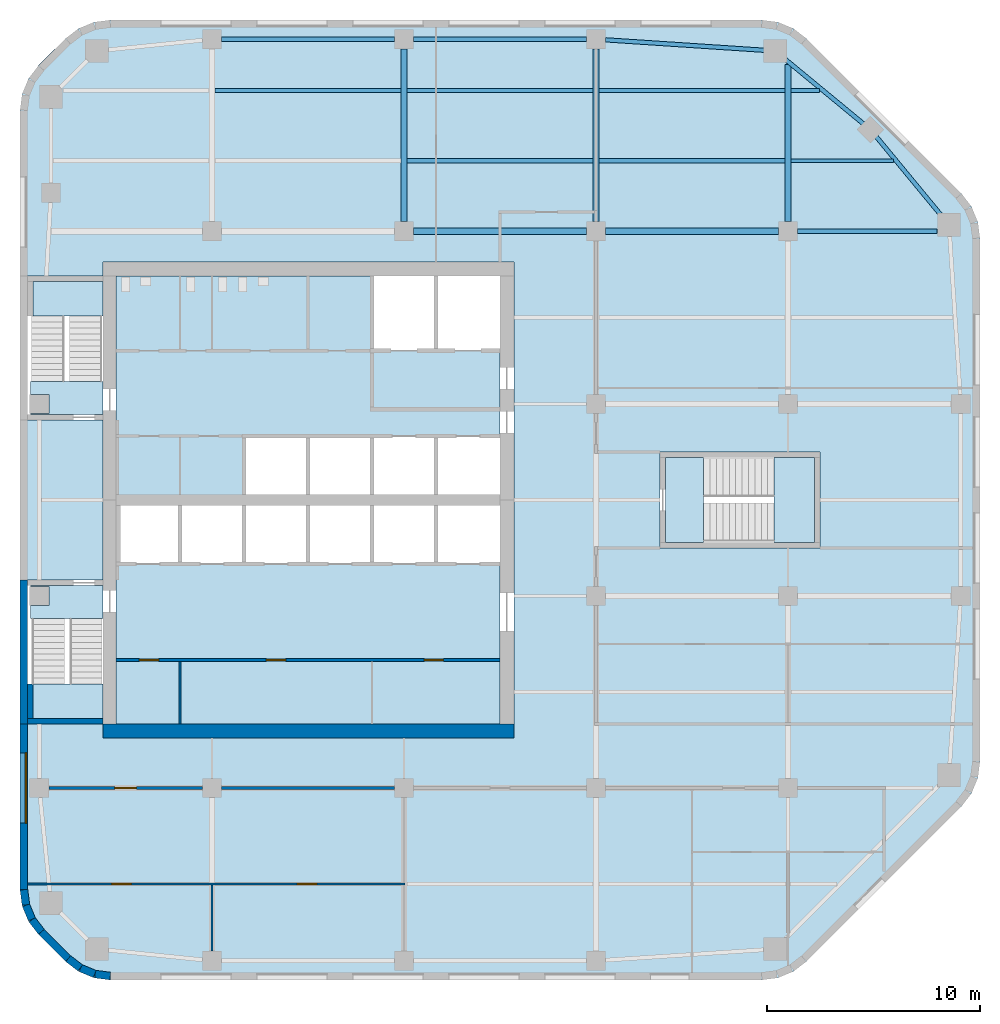
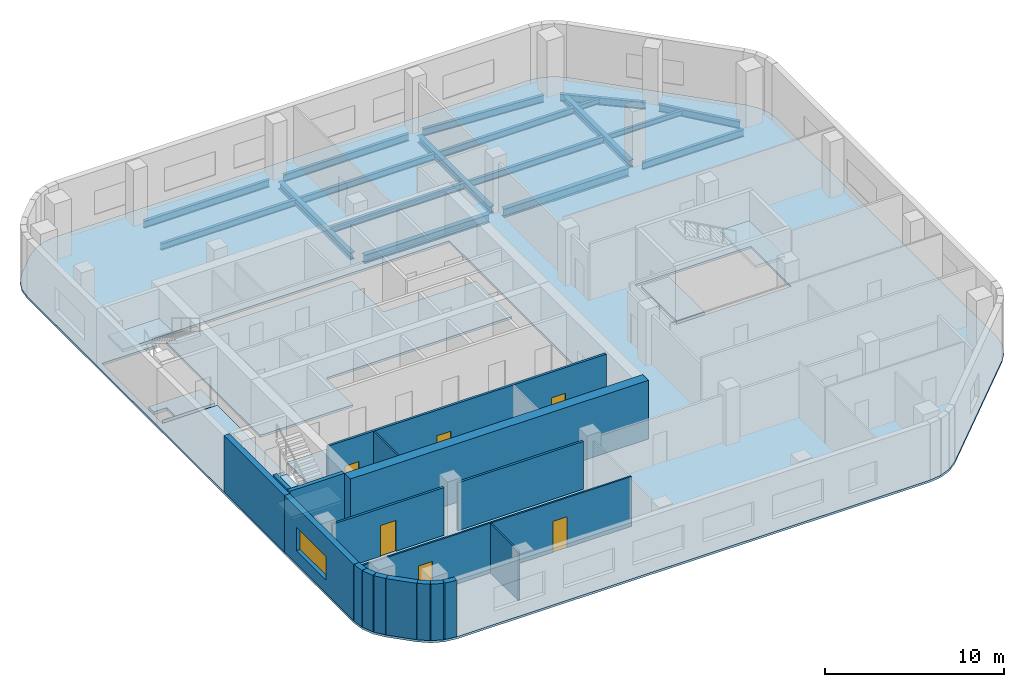
# One storey, part 2 of 7: 18 beams, 18 walls, 9 slabs, 6 doors, 1 window, 7 openings, 3 elements without a shape of their own.
"""IFC4 building model written with IfcOpenShell, lengths in metres."""

from ifc_helpers import new_model, si_unit, direction, frame, frame_2d, origin, origin_2d, place, context, subcontext, project, spatial, polyline, rectangle, i_section, outline, extrude, material, layer, layer_set, material_profile, profile_set, type_object, element, fill, aggregate, save


model = new_model("IFC4")

# Units and contexts
model_context = context("Model", 3, precision=1e-05, world=origin(), true_north=direction((0.0, 1.0)))
body_context = subcontext(model_context, "Body", "Model", "MODEL_VIEW")
ifc_project = project(units=[si_unit("LENGTHUNIT", "METRE"), si_unit("AREAUNIT", "SQUARE_METRE"), si_unit("VOLUMEUNIT", "CUBIC_METRE"), si_unit("PLANEANGLEUNIT", "RADIAN"), si_unit("MASSUNIT", "GRAM", prefix="KILO")], contexts=[model_context])

# Site, building, storey
site_placement = place(None, origin())
site = spatial("IfcSite", under=ifc_project, at=site_placement, CompositionType="ELEMENT")
building_placement = place(site_placement, origin())
building = spatial("IfcBuilding", under=site, at=building_placement, Name="Cinnabar Reach Civic Tower", CompositionType="ELEMENT")
storey_placement = place(building_placement, frame((0.0, 0.0, 173.0)))
storey = spatial("IfcBuildingStorey", under=building, at=storey_placement, Name="L41", CompositionType="ELEMENT", Elevation=173.0)

# Beams
ifc_material_1 = material(Name="Steel Q355B", Category="steel")
ifc_material_profile_1 = material_profile(ifc_material_1, i_section(OverallWidth=0.3, OverallDepth=0.488, WebThickness=0.011, FlangeThickness=0.018, FilletRadius=0.016, at=origin_2d()), Name="HM488x300x11x18")
ifc_profile_set_1 = profile_set([ifc_material_profile_1], Name="Steel Q355B")
beam_type_1 = type_object("IfcBeamType", Name="HM488x300x11x18 beam R 180", PredefinedType="BEAM", material=ifc_profile_set_1)
for number, where, z_axis, x_axis, name in (
    (1, (18.0, 44.552, -0.394), (0.0, 1.0, 0.0), (-1.0, 0.0, 0.0), "Girder T1 L41 6"),
    (2, (27.0, 44.552, -0.394), (0.0, 1.0, 0.0), (-1.0, 0.0, 0.0), "Girder T1 L41 11"),
):
    element("IfcBeam", number, at=place(storey_placement, frame(where, z_axis=z_axis, x_axis=x_axis)), inside=storey, type_object=beam_type_1, Name=name, PredefinedType="BEAM", context=body_context, shape_type="SweptSolid", body=[
        extrude(i_section(OverallWidth=0.3, OverallDepth=0.488, WebThickness=0.011, FlangeThickness=0.018, FilletRadius=0.016, at=origin_2d()), origin(), (0.0, 0.0, 1.0), 8.096),
    ])
beam_1_placement = place(storey_placement, frame((36.0, 44.552, -0.394), z_axis=(0.0, 1.0, 0.0), x_axis=(-1.0, 0.0, 0.0)))
element("IfcBeam", 3, at=beam_1_placement, inside=storey, type_object=beam_type_1, Name="Girder T1 L41 17", PredefinedType="BEAM", context=body_context, shape_type="SweptSolid", body=[
    extrude(i_section(OverallWidth=0.3, OverallDepth=0.488, WebThickness=0.011, FlangeThickness=0.018, FilletRadius=0.016, at=origin_2d()), origin(), (0.0, 0.0, 1.0), 7.3662),
])
ifc_material_profile_2 = material_profile(ifc_material_1, i_section(OverallWidth=0.3, OverallDepth=0.588, WebThickness=0.012, FlangeThickness=0.02, FilletRadius=0.016, at=origin_2d()), Name="HM588x300x12x20")
ifc_profile_set_2 = profile_set([ifc_material_profile_2], Name="Steel Q355B")
beam_type_2 = type_object("IfcBeamType", Name="HM588x300x12x20 beam R 180", PredefinedType="BEAM", material=ifc_profile_set_2)
for number, where, z_axis, x_axis, name in (
    (4, (18.452, 44.1, -0.444), (1.0, 0.0, 0.0), (0.0, 1.0, 0.0), "Girder T1 L41 14"),
    (5, (27.452, 44.1, -0.444), (1.0, 0.0, 0.0), (0.0, 1.0, 0.0), "Girder T1 L41 15"),
):
    element("IfcBeam", number, at=place(storey_placement, frame(where, z_axis=z_axis, x_axis=x_axis)), inside=storey, type_object=beam_type_2, Name=name, PredefinedType="BEAM", context=body_context, shape_type="SweptSolid", body=[
        extrude(i_section(OverallWidth=0.3, OverallDepth=0.588, WebThickness=0.012, FlangeThickness=0.02, FilletRadius=0.016, at=origin_2d()), origin(), (0.0, 0.0, 1.0), 8.096),
    ])
ifc_material_profile_3 = material_profile(ifc_material_1, i_section(OverallWidth=0.175, OverallDepth=0.35, WebThickness=0.007, FlangeThickness=0.011, FilletRadius=0.013, at=origin_2d()), Name="HN350x175x7x11")
ifc_profile_set_3 = profile_set([ifc_material_profile_3], Name="Steel Q355B")
beam_type_3 = type_object("IfcBeamType", Name="HN350x175x7x11 beam R 180", PredefinedType="BEAM", material=ifc_profile_set_3)
beam_2_placement = place(storey_placement, frame((36.152, 47.4, -0.325), z_axis=(1.0, 0.0, 0.0), x_axis=(0.0, 1.0, 0.0)))
element("IfcBeam", 6, at=beam_2_placement, inside=storey, type_object=beam_type_3, Name="Secondary beam T1 L41 20", PredefinedType="BEAM", context=body_context, shape_type="SweptSolid", body=[
    extrude(i_section(OverallWidth=0.175, OverallDepth=0.35, WebThickness=0.007, FlangeThickness=0.011, FilletRadius=0.013, at=origin_2d()), origin(), (0.0, 0.0, 1.0), 4.7866),
])
beam_3_placement = place(storey_placement, frame((36.152, 50.7, -0.325), z_axis=(1.0, 0.0, 0.0), x_axis=(0.0, 1.0, 0.0)))
element("IfcBeam", 7, at=beam_3_placement, inside=storey, type_object=beam_type_3, Name="Secondary beam T1 L41 25", PredefinedType="BEAM", context=body_context, shape_type="SweptSolid", body=[
    extrude(i_section(OverallWidth=0.175, OverallDepth=0.35, WebThickness=0.007, FlangeThickness=0.011, FilletRadius=0.013, at=origin_2d()), origin(), (0.0, 0.0, 1.0), 1.3249),
])
ifc_material_profile_4 = material_profile(ifc_material_1, i_section(OverallWidth=0.2, OverallDepth=0.45, WebThickness=0.009, FlangeThickness=0.014, FilletRadius=0.016, at=origin_2d()), Name="HN450x200x9x14")
ifc_profile_set_4 = profile_set([ifc_material_profile_4], Name="Steel Q355B")
beam_type_4 = type_object("IfcBeamType", Name="HN450x200x9x14 beam R 180", PredefinedType="BEAM", material=ifc_profile_set_4)
for number, where, z_axis, x_axis, name in (
    (8, (18.152, 47.4, -0.375), (1.0, 0.0, 0.0), (0.0, 1.0, 0.0), "Secondary beam T1 L41 18"),
    (9, (27.152, 47.4, -0.375), (1.0, 0.0, 0.0), (0.0, 1.0, 0.0), "Secondary beam T1 L41 19"),
    (10, (9.152, 50.7, -0.375), (1.0, 0.0, 0.0), (0.0, 1.0, 0.0), "Secondary beam T1 L41 22"),
    (11, (18.152, 50.7, -0.375), (1.0, 0.0, 0.0), (0.0, 1.0, 0.0), "Secondary beam T1 L41 23"),
    (12, (27.152, 50.7, -0.375), (1.0, 0.0, 0.0), (0.0, 1.0, 0.0), "Secondary beam T1 L41 24"),
):
    element("IfcBeam", number, at=place(storey_placement, frame(where, z_axis=z_axis, x_axis=x_axis)), inside=storey, type_object=beam_type_4, Name=name, PredefinedType="BEAM", context=body_context, shape_type="SweptSolid", body=[
        extrude(i_section(OverallWidth=0.2, OverallDepth=0.45, WebThickness=0.009, FlangeThickness=0.014, FilletRadius=0.016, at=origin_2d()), origin(), (0.0, 0.0, 1.0), 8.696),
    ])
ifc_material_profile_5 = material_profile(ifc_material_1, i_section(OverallWidth=0.2, OverallDepth=0.5, WebThickness=0.01, FlangeThickness=0.016, FilletRadius=0.016, at=origin_2d()), Name="HN500x200x10x16")
ifc_profile_set_5 = profile_set([ifc_material_profile_5], Name="Steel Q355B")
beam_type_5 = type_object("IfcBeamType", Name="HN500x200x10x16 beam R 180", PredefinedType="BEAM", material=ifc_profile_set_5)
for number, where, z_axis, x_axis, name in (
    (13, (43.1906, 44.8301, -0.4), (-0.63630880182, 0.771434448755, 0.0), (-0.771434448755, -0.63630880182, 0.0), "Edge beam T1 L41 9"),
    (14, (39.5598, 49.1142, -0.4), (-0.771434448755, 0.63630880182, 0.0), (-0.63630880182, -0.771434448755, 0.0), "Edge beam T1 L41 10"),
):
    element("IfcBeam", number, at=place(storey_placement, frame(where, z_axis=z_axis, x_axis=x_axis)), inside=storey, type_object=beam_type_5, Name=name, PredefinedType="BEAM", context=body_context, shape_type="SweptSolid", body=[
        extrude(i_section(OverallWidth=0.2, OverallDepth=0.5, WebThickness=0.01, FlangeThickness=0.016, FilletRadius=0.016, at=origin_2d()), origin(), (0.0, 0.0, 1.0), 4.8348),
    ])
beam_4_placement = place(storey_placement, frame((34.9661, 52.5754, -0.4), z_axis=(-0.99783894477, 0.065707231721, 0.0), x_axis=(-0.065707231721, -0.99783894477, 0.0)))
element("IfcBeam", 15, at=beam_4_placement, inside=storey, type_object=beam_type_5, Name="Edge beam T1 L41 11", PredefinedType="BEAM", context=body_context, shape_type="SweptSolid", body=[
    extrude(i_section(OverallWidth=0.2, OverallDepth=0.5, WebThickness=0.01, FlangeThickness=0.016, FilletRadius=0.016, at=origin_2d()), origin(), (0.0, 0.0, 1.0), 7.5304),
])
for number, where, z_axis, x_axis, name in (
    (16, (26.548, 53.1, -0.4), (-1.0, 0.0, 0.0), (0.0, -1.0, 0.0), "Edge beam T1 L41 12"),
    (17, (17.548, 53.1, -0.4), (-1.0, 0.0, 0.0), (0.0, -1.0, 0.0), "Edge beam T1 L41 13"),
):
    element("IfcBeam", number, at=place(storey_placement, frame(where, z_axis=z_axis, x_axis=x_axis)), inside=storey, type_object=beam_type_5, Name=name, PredefinedType="BEAM", context=body_context, shape_type="SweptSolid", body=[
        extrude(i_section(OverallWidth=0.2, OverallDepth=0.5, WebThickness=0.01, FlangeThickness=0.016, FilletRadius=0.016, at=origin_2d()), origin(), (0.0, 0.0, 1.0), 8.096),
    ])
beam_5_placement = place(storey_placement, frame((36.452, 44.1, -0.4), z_axis=(1.0, 0.0, 0.0), x_axis=(0.0, 1.0, 0.0)))
element("IfcBeam", 18, at=beam_5_placement, inside=storey, type_object=beam_type_5, Name="Girder T1 L41 16", PredefinedType="BEAM", context=body_context, shape_type="SweptSolid", body=[
    extrude(i_section(OverallWidth=0.2, OverallDepth=0.5, WebThickness=0.01, FlangeThickness=0.016, FilletRadius=0.016, at=origin_2d()), origin(), (0.0, 0.0, 1.0), 6.5429),
])

# Slab
ifc_material_2 = material(Name="Concrete C40", Category="concrete")
ifc_layer_1 = layer(ifc_material_2, 0.15)
ifc_layer_set_1 = layer_set([ifc_layer_1], Name="Composite floor slab 150 REI 150")
slab_type_1 = type_object("IfcSlabType", Name="Composite floor slab 150 REI 150", PredefinedType="FLOOR", material=ifc_layer_set_1)
slab_1_placement = place(storey_placement, frame((0.0, 0.0, -0.15)))
element("IfcSlab", 19, at=slab_1_placement, inside=storey, type_object=slab_type_1, Name="Composite floor slab 150 T1 L41", PredefinedType="FLOOR", context=body_context, shape_type="SweptSolid", body=[
    extrude(outline(polyline([(0.8787, 11.1213), (0.4019, 11.7426), (0.1022, 12.4662), (0.0, 13.2426), (0.0, 49.7574), (0.1022, 50.5338), (0.4019, 51.2574), (0.8787, 51.8787), (2.1213, 53.1213), (2.7426, 53.5981), (3.4662, 53.8978), (4.2426, 54.0), (34.7574, 54.0), (35.5338, 53.8978), (36.2574, 53.5981), (36.8787, 53.1213), (44.1213, 45.8787), (44.5981, 45.2574), (44.8978, 44.5338), (45.0, 43.7574), (45.0, 19.2426), (44.8978, 18.4662), (44.5981, 17.7426), (44.1213, 17.1213), (36.8787, 9.8787), (36.2574, 9.4019), (35.5338, 9.1022), (34.7574, 9.0), (4.2426, 9.0), (3.4662, 9.1022), (2.7426, 9.4019), (2.1213, 9.8787), (0.8787, 11.1213)]), holes=[polyline([(0.36, 21.0), (3.9, 21.0), (3.9, 20.35), (23.15, 20.35), (23.15, 42.65), (3.9, 42.65), (3.9, 42.0), (0.36, 42.0), (0.36, 35.25), (3.9, 35.25), (3.9, 27.75), (0.36, 27.75), (0.36, 21.0)]), polyline([(30.0, 33.75), (30.0, 29.25), (37.5, 29.25), (37.5, 33.75), (30.0, 33.75)])]), origin(), (0.0, 0.0, 1.0), 0.15),
])

# Stair, slabs
ifc_material_3 = material(Name="Concrete C40/50", Category="concrete")
stair_type = type_object("IfcStairType", Name="T1 Exit stair, half-turn", PredefinedType="HALF_TURN_STAIR", material=ifc_material_3)
stair_1_placement = place(storey_placement, origin())
stair_1 = element("IfcStair", 20, at=stair_1_placement, inside=storey, type_object=stair_type, Name="Stair T1-S1", PredefinedType="HALF_TURN_STAIR")
ifc_layer_2 = layer(ifc_material_3, 0.2)
ifc_layer_set_2 = layer_set([ifc_layer_2], Name="T1 Stair landing 200, Concrete C40/50")
slab_type_2 = type_object("IfcSlabType", Name="T1 Stair landing 200, Concrete C40/50", PredefinedType="LANDING", material=ifc_layer_set_2)
slab_2_placement = place(storey_placement, frame((0.0, 0.0, -0.2)))
slab_2 = element("IfcSlab", 21, at=slab_2_placement, type_object=slab_type_2, Name="T1-S1 landing 1", PredefinedType="LANDING", context=body_context, shape_type="SweptSolid", body=[
    extrude(outline(polyline([(0.5, 27.5), (3.9, 27.5), (3.9, 25.95), (0.5, 25.95), (0.5, 26.55), (1.35, 26.55), (1.35, 27.45), (0.5, 27.45), (0.5, 27.5)])), origin(), (0.0, 0.0, 1.0), 0.2),
])
slab_3_placement = place(storey_placement, frame((0.0, 0.0, 1.8)))
slab_3 = element("IfcSlab", 22, at=slab_3_placement, type_object=slab_type_2, Name="T1-S1 landing 2", PredefinedType="LANDING", context=body_context, shape_type="SweptSolid", body=[
    extrude(outline(polyline([(0.6, 21.25), (0.6, 22.87), (3.9, 22.87), (3.9, 21.25), (0.6, 21.25)])), origin(), (0.0, 0.0, 1.0), 0.2),
])
aggregate(stair_1, [slab_2, slab_3])

stair_2_placement = place(storey_placement, origin())
stair_2 = element("IfcStair", 23, at=stair_2_placement, inside=storey, type_object=stair_type, Name="Stair T1-S2", PredefinedType="HALF_TURN_STAIR")
slab_4_placement = place(storey_placement, frame((0.0, 0.0, -0.2)))
slab_4 = element("IfcSlab", 24, at=slab_4_placement, type_object=slab_type_2, Name="T1-S2 landing 1", PredefinedType="LANDING", context=body_context, shape_type="SweptSolid", body=[
    extrude(outline(polyline([(0.5, 37.05), (3.9, 37.05), (3.9, 35.5), (0.5, 35.5), (0.5, 35.55), (1.35, 35.55), (1.35, 36.45), (0.5, 36.45), (0.5, 37.05)])), origin(), (0.0, 0.0, 1.0), 0.2),
])
slab_5_placement = place(storey_placement, frame((0.0, 0.0, 1.8)))
slab_5 = element("IfcSlab", 25, at=slab_5_placement, type_object=slab_type_2, Name="T1-S2 landing 2", PredefinedType="LANDING", context=body_context, shape_type="SweptSolid", body=[
    extrude(outline(polyline([(0.6, 40.13), (0.6, 41.75), (3.9, 41.75), (3.9, 40.13), (0.6, 40.13)])), origin(), (0.0, 0.0, 1.0), 0.2),
])
aggregate(stair_2, [slab_4, slab_5])

stair_3_placement = place(storey_placement, origin())
stair_3 = element("IfcStair", 26, at=stair_3_placement, inside=storey, type_object=stair_type, Name="Stair T1-S3", PredefinedType="HALF_TURN_STAIR")
slab_6_placement = place(storey_placement, frame((0.0, 0.0, -0.2)))
slab_6 = element("IfcSlab", 27, at=slab_6_placement, type_object=slab_type_2, Name="T1-S3 landing 1", PredefinedType="LANDING", context=body_context, shape_type="SweptSolid", body=[
    extrude(outline(polyline([(30.25, 29.5), (32.05, 29.5), (32.05, 33.5), (30.25, 33.5), (30.25, 29.5)])), origin(), (0.0, 0.0, 1.0), 0.2),
])
slab_7_placement = place(storey_placement, frame((0.0, 0.0, 1.8)))
slab_7 = element("IfcSlab", 28, at=slab_7_placement, type_object=slab_type_2, Name="T1-S3 landing 2", PredefinedType="LANDING", context=body_context, shape_type="SweptSolid", body=[
    extrude(outline(polyline([(35.35, 29.5), (37.25, 29.5), (37.25, 33.5), (35.35, 33.5), (35.35, 29.5)])), origin(), (0.0, 0.0, 1.0), 0.2),
])
aggregate(stair_3, [slab_6, slab_7])

# Slabs
ifc_layer_3 = layer(ifc_material_3, 0.15)
ifc_layer_set_3 = layer_set([ifc_layer_3], Name="T1 core floor slab 150")
slab_type_3 = type_object("IfcSlabType", Name="T1 core floor slab 150", PredefinedType="FLOOR", material=ifc_layer_set_3)
slab_8_placement = place(storey_placement, frame((0.0, 0.0, -0.15)))
element("IfcSlab", 29, at=slab_8_placement, inside=storey, type_object=slab_type_3, Name="Core floor slab L41", PredefinedType="FLOOR", context=body_context, shape_type="SweptSolid", body=[
    extrude(outline(polyline([(22.5, 21.0), (4.5, 21.0), (4.5, 28.5), (7.5, 28.5), (10.5, 28.5), (13.5, 28.5), (16.5, 28.5), (19.5, 28.5), (22.5, 28.5), (22.5, 21.0)])), origin(), (0.0, 0.0, 1.0), 0.15),
])
slab_9_placement = place(storey_placement, frame((0.0, 0.0, -0.15)))
element("IfcSlab", 30, at=slab_9_placement, inside=storey, type_object=slab_type_3, Name="Core floor slab L41", PredefinedType="FLOOR", context=body_context, shape_type="SweptSolid", body=[
    extrude(outline(polyline([(22.5, 34.5), (19.5, 34.5), (16.5, 34.5), (13.5, 34.5), (10.5, 34.5), (10.5, 31.5), (7.5, 31.5), (4.5, 31.5), (4.5, 42.0), (16.5, 42.0), (16.5, 38.5), (19.5, 38.5), (22.5, 38.5), (22.5, 34.5)])), origin(), (0.0, 0.0, 1.0), 0.15),
])

# Walls
ifc_material_4 = material(Name="Facing brick with insulated backing", Category="masonry")
ifc_layer_4 = layer(ifc_material_4, 0.36)
ifc_layer_set_4 = layer_set([ifc_layer_4], Name="Brick corner wall")
wall_type_1 = type_object("IfcWallType", Name="Brick corner wall", PredefinedType="STANDARD", material=ifc_layer_set_4)
for number, where, z_axis, x_axis, name in (
    (31, (0.183, 13.2314, 0.0), (0.0, 0.0, 1.0), (0.13055608231, -0.99144092581, 0.0), "Brick corner wall"),
    (32, (0.2819, 12.5027, 0.0), (0.0, 0.0, 1.0), (0.382702709855, -0.923871547278, 0.0), "Brick corner wall"),
):
    element("IfcWall", number, at=place(storey_placement, frame(where, z_axis=z_axis, x_axis=x_axis)), inside=storey, type_object=wall_type_1, Name=name, PredefinedType="STANDARD", context=body_context, shape_type="SweptSolid", body=[
        extrude(rectangle(XDim=0.7131, YDim=0.36, at=frame_2d((0.3565, 0.0))), origin(), (0.0, 0.0, 1.0), 3.85),
    ])
for number, where, z_axis, x_axis, name in (
    (33, (0.566, 11.8245, 0.0), (0.0, 0.0, 1.0), (0.608802368033, -0.793321924995, 0.0), "Brick corner wall"),
    (34, (2.2587, 10.0002, 0.0), (0.0, 0.0, 1.0), (0.793321924995, -0.608802368033, 0.0), "Brick corner wall"),
):
    element("IfcWall", number, at=place(storey_placement, frame(where, z_axis=z_axis, x_axis=x_axis)), inside=storey, type_object=wall_type_1, Name=name, PredefinedType="STANDARD", context=body_context, shape_type="SweptSolid", body=[
        extrude(rectangle(XDim=0.7132, YDim=0.36, at=frame_2d((0.3566, 0.0))), origin(), (0.0, 0.0, 1.0), 3.85),
    ])
for number, where, z_axis, x_axis, name in (
    (35, (2.8439, 9.5548, 0.0), (0.0, 0.0, 1.0), (0.923871547278, -0.382702709855, 0.0), "Brick corner wall"),
    (36, (3.5244, 9.2761, 0.0), (0.0, 0.0, 1.0), (0.99144092581, -0.13055608231, 0.0), "Brick corner wall"),
):
    element("IfcWall", number, at=place(storey_placement, frame(where, z_axis=z_axis, x_axis=x_axis)), inside=storey, type_object=wall_type_1, Name=name, PredefinedType="STANDARD", context=body_context, shape_type="SweptSolid", body=[
        extrude(rectangle(XDim=0.7131, YDim=0.36, at=frame_2d((0.3565, 0.0))), origin(), (0.0, 0.0, 1.0), 3.85),
    ])
ifc_layer_5 = layer(ifc_material_4, 0.36)
ifc_layer_set_5 = layer_set([ifc_layer_5], Name="Brick pier and spandrel wall")
wall_type_2 = type_object("IfcWallType", Name="Brick pier and spandrel wall", PredefinedType="STANDARD", material=ifc_layer_set_5)
wall_1_placement = place(storey_placement, frame((0.18, 27.75, 0.0), z_axis=(0.0, 0.0, 1.0), x_axis=(0.0, -1.0, 0.0)))
element("IfcWall", 37, at=wall_1_placement, inside=storey, type_object=wall_type_2, Name="Brick facade wall", PredefinedType="STANDARD", context=body_context, shape_type="SweptSolid", body=[
    extrude(rectangle(XDim=6.75, YDim=0.36, at=frame_2d((3.375, 0.0))), origin(), (0.0, 0.0, 1.0), 3.85),
])

# Wall, opening, window
wall_2_placement = place(storey_placement, frame((0.18, 21.0, 0.0), z_axis=(0.0, 0.0, 1.0), x_axis=(0.0, -1.0, 0.0)))
wall_2 = element("IfcWall", 38, at=wall_2_placement, inside=storey, type_object=wall_type_2, Name="Brick facade wall", PredefinedType="STANDARD", context=body_context, shape_type="SweptSolid", body=[
    extrude(rectangle(XDim=7.7574, YDim=0.36, at=frame_2d((3.8787, 0.0))), origin(), (0.0, 0.0, 1.0), 3.85),
])
opening_1_placement = place(wall_2_placement, frame((1.35, 0.0, 0.9)))
opening_1 = element("IfcOpeningElement", 39, at=opening_1_placement, cuts=wall_2, Name="Opening W1860", PredefinedType="OPENING", context=body_context, shape_type="SweptSolid", body=[
    extrude(rectangle(XDim=3.3, YDim=1.6, at=frame_2d((1.65, 0.8))), frame((0.0, 0.19, 0.0), z_axis=(0.0, -1.0, 0.0), x_axis=(1.0, 0.0, 0.0)), (0.0, 0.0, 1.0), 0.38),
])
ifc_material_5 = material(Name="Clear double glazing in aluminium frame", Category="aluminium")
window_type = type_object("IfcWindowType", Name="Deep-set window A", PartitioningType="SINGLE_PANEL", PredefinedType="WINDOW", material=ifc_material_5)
window_placement = place(opening_1_placement, origin())
window = element("IfcWindow", 40, at=window_placement, inside=storey, type_object=window_type, Name="Window west face", OverallHeight=1.6, OverallWidth=3.3, PartitioningType="SINGLE_PANEL", PredefinedType="WINDOW", context=body_context, shape_type="SweptSolid", body=[
    extrude(rectangle(XDim=3.3, YDim=1.6, at=frame_2d((1.65, 0.8))), frame((0.0, 0.13, 0.0), z_axis=(0.0, -1.0, 0.0), x_axis=(1.0, 0.0, 0.0)), (0.0, 0.0, 1.0), 0.06),
])
fill(opening_1, window)

# Walls
wall_3_placement = place(storey_placement, frame((1.006, 11.2486, 0.0), z_axis=(0.0, 0.0, 1.0), x_axis=(0.707106781187, -0.707106781187, 0.0)))
element("IfcWall", 41, at=wall_3_placement, inside=storey, type_object=wall_type_2, Name="Brick facade wall", PredefinedType="STANDARD", context=body_context, shape_type="SweptSolid", body=[
    extrude(rectangle(XDim=1.7573, YDim=0.36, at=frame_2d((0.8787, 0.0))), origin(), (0.0, 0.0, 1.0), 3.85),
])
ifc_material_6 = material(Name="Concrete C70", Category="concrete")
ifc_layer_6 = layer(ifc_material_6, 0.65)
ifc_layer_set_6 = layer_set([ifc_layer_6], Name="Core wall 650 EI 180")
wall_type_3 = type_object("IfcWallType", Name="Core wall 650 EI 180", PredefinedType="SOLIDWALL", material=ifc_layer_set_6)
wall_4_placement = place(storey_placement, frame((3.9, 20.675, 0.0), z_axis=(0.0, 0.0, 1.0), x_axis=(1.0, 0.0, 0.0)))
element("IfcWall", 42, at=wall_4_placement, inside=storey, type_object=wall_type_3, Name="Core wall T1 L41 S", PredefinedType="SOLIDWALL", context=body_context, shape_type="SweptSolid", body=[
    extrude(rectangle(XDim=19.25, YDim=0.65, at=frame_2d((9.625, 0.0))), origin(), (0.0, 0.0, 1.0), 4.0),
])

# Wall, opening, door
ifc_material_7 = material(Name="Gypsum board on steel studs, double layer", Category="steel")
ifc_layer_7 = layer(ifc_material_7, 0.15)
ifc_layer_set_7 = layer_set([ifc_layer_7], Name="Corridor wall 150 T1")
wall_type_4 = type_object("IfcWallType", Name="Corridor wall 150 T1", PredefinedType="PARTITIONING", material=ifc_layer_set_7)
wall_5_placement = place(storey_placement, frame((1.35, 18.0, 0.0), z_axis=(0.0, 0.0, 1.0), x_axis=(1.0, 0.0, 0.0)))
wall_5 = element("IfcWall", 43, at=wall_5_placement, inside=storey, type_object=wall_type_4, Name="Corridor wall 18", PredefinedType="PARTITIONING", context=body_context, shape_type="SweptSolid", body=[
    extrude(rectangle(XDim=7.2, YDim=0.15, at=frame_2d((3.6, 0.0))), origin(), (0.0, 0.0, 1.0), 3.262),
])
opening_2_placement = place(wall_5_placement, frame((3.1, 0.0, 0.0)))
opening_2 = element("IfcOpeningElement", 44, at=opening_2_placement, cuts=wall_5, Name="Opening D4699", PredefinedType="OPENING", context=body_context, shape_type="SweptSolid", body=[
    extrude(rectangle(XDim=1.0, YDim=2.1, at=frame_2d((0.5, 1.05))), frame((0.0, 0.085, 0.0), z_axis=(0.0, -1.0, 0.0), x_axis=(1.0, 0.0, 0.0)), (0.0, 0.0, 1.0), 0.17),
])
ifc_material_8 = material(Name="Timber door leaf in steel frame", Category="steel")
door_type_1 = type_object("IfcDoorType", Name="Tenancy entrance door 1000 x 2100 T1", OperationType="SINGLE_SWING_LEFT", PredefinedType="DOOR", material=ifc_material_8)
door_1_placement = place(opening_2_placement, frame((1.0, 0.0, 0.0), z_axis=(0.0, 0.0, 1.0), x_axis=(-1.0, 0.0, 0.0)))
door_1 = element("IfcDoor", 45, at=door_1_placement, inside=storey, type_object=door_type_1, Name="Door D4699", OperationType="SINGLE_SWING_LEFT", OverallHeight=2.1, OverallWidth=1.0, PredefinedType="DOOR", context=body_context, shape_type="SweptSolid", body=[
    extrude(rectangle(XDim=1.0, YDim=2.1, at=frame_2d((0.5, 1.05))), frame((0.0, 0.025, 0.0), z_axis=(0.0, -1.0, 0.0), x_axis=(1.0, 0.0, 0.0)), (0.0, 0.0, 1.0), 0.05),
])
fill(opening_2, door_1)

# Wall
wall_6_placement = place(storey_placement, frame((9.45, 18.0, 0.0), z_axis=(0.0, 0.0, 1.0), x_axis=(1.0, 0.0, 0.0)))
element("IfcWall", 46, at=wall_6_placement, inside=storey, type_object=wall_type_4, Name="Corridor wall 19", PredefinedType="PARTITIONING", context=body_context, shape_type="SweptSolid", body=[
    extrude(rectangle(XDim=8.1, YDim=0.15, at=frame_2d((4.05, 0.0))), origin(), (0.0, 0.0, 1.0), 3.262),
])

# Wall, openings, doors
wall_7_placement = place(storey_placement, frame((4.5, 24.0, 0.0), z_axis=(0.0, 0.0, 1.0), x_axis=(1.0, 0.0, 0.0)))
wall_7 = element("IfcWall", 47, at=wall_7_placement, inside=storey, type_object=wall_type_4, Name="Corridor wall 23", PredefinedType="PARTITIONING", context=body_context, shape_type="SweptSolid", body=[
    extrude(rectangle(XDim=18.0, YDim=0.15, at=frame_2d((9.0, 0.0))), origin(), (0.0, 0.0, 1.0), 3.85),
])
opening_3_placement = place(wall_7_placement, frame((1.1, 0.0, 0.0)))
opening_3 = element("IfcOpeningElement", 48, at=opening_3_placement, cuts=wall_7, Name="Opening D4685", PredefinedType="OPENING", context=body_context, shape_type="SweptSolid", body=[
    extrude(rectangle(XDim=0.9, YDim=2.1, at=frame_2d((0.45, 1.05))), frame((0.0, 0.085, 0.0), z_axis=(0.0, -1.0, 0.0), x_axis=(1.0, 0.0, 0.0)), (0.0, 0.0, 1.0), 0.17),
])
opening_4_placement = place(wall_7_placement, frame((7.05, 0.0, 0.0)))
opening_4 = element("IfcOpeningElement", 49, at=opening_4_placement, cuts=wall_7, Name="Opening D4686", PredefinedType="OPENING", context=body_context, shape_type="SweptSolid", body=[
    extrude(rectangle(XDim=0.9, YDim=2.1, at=frame_2d((0.45, 1.05))), frame((0.0, 0.085, 0.0), z_axis=(0.0, -1.0, 0.0), x_axis=(1.0, 0.0, 0.0)), (0.0, 0.0, 1.0), 0.17),
])
opening_5_placement = place(wall_7_placement, frame((14.45, 0.0, 0.0)))
opening_5 = element("IfcOpeningElement", 50, at=opening_5_placement, cuts=wall_7, Name="Opening D4687", PredefinedType="OPENING", context=body_context, shape_type="SweptSolid", body=[
    extrude(rectangle(XDim=0.9, YDim=2.1, at=frame_2d((0.45, 1.05))), frame((0.0, 0.085, 0.0), z_axis=(0.0, -1.0, 0.0), x_axis=(1.0, 0.0, 0.0)), (0.0, 0.0, 1.0), 0.17),
])
door_type_2 = type_object("IfcDoorType", Name="Single swing door 900 x 2100 corridor T1", OperationType="SINGLE_SWING_LEFT", PredefinedType="DOOR", material=ifc_material_8)
door_2_placement = place(opening_3_placement, frame((0.9, 0.0, 0.0), z_axis=(0.0, 0.0, 1.0), x_axis=(-1.0, 0.0, 0.0)))
door_2 = element("IfcDoor", 51, at=door_2_placement, inside=storey, type_object=door_type_2, Name="Door D4685", OperationType="SINGLE_SWING_RIGHT", OverallHeight=2.1, OverallWidth=0.9, PredefinedType="DOOR", context=body_context, shape_type="SweptSolid", body=[
    extrude(rectangle(XDim=0.9, YDim=2.1, at=frame_2d((0.45, 1.05))), frame((0.0, 0.025, 0.0), z_axis=(0.0, -1.0, 0.0), x_axis=(1.0, 0.0, 0.0)), (0.0, 0.0, 1.0), 0.05),
])
fill(opening_3, door_2)
door_3_placement = place(opening_4_placement, frame((0.9, 0.0, 0.0), z_axis=(0.0, 0.0, 1.0), x_axis=(-1.0, 0.0, 0.0)))
door_3 = element("IfcDoor", 52, at=door_3_placement, inside=storey, type_object=door_type_2, Name="Door D4686", OperationType="SINGLE_SWING_LEFT", OverallHeight=2.1, OverallWidth=0.9, PredefinedType="DOOR", context=body_context, shape_type="SweptSolid", body=[
    extrude(rectangle(XDim=0.9, YDim=2.1, at=frame_2d((0.45, 1.05))), frame((0.0, 0.025, 0.0), z_axis=(0.0, -1.0, 0.0), x_axis=(1.0, 0.0, 0.0)), (0.0, 0.0, 1.0), 0.05),
])
fill(opening_4, door_3)
door_4_placement = place(opening_5_placement, frame((0.9, 0.0, 0.0), z_axis=(0.0, 0.0, 1.0), x_axis=(-1.0, 0.0, 0.0)))
door_4 = element("IfcDoor", 53, at=door_4_placement, inside=storey, type_object=door_type_2, Name="Door D4687", OperationType="SINGLE_SWING_RIGHT", OverallHeight=2.1, OverallWidth=0.9, PredefinedType="DOOR", context=body_context, shape_type="SweptSolid", body=[
    extrude(rectangle(XDim=0.9, YDim=2.1, at=frame_2d((0.45, 1.05))), frame((0.0, 0.025, 0.0), z_axis=(0.0, -1.0, 0.0), x_axis=(1.0, 0.0, 0.0)), (0.0, 0.0, 1.0), 0.05),
])
fill(opening_5, door_4)

ifc_material_9 = material(Name="Gypsum board on steel studs", Category="steel")
ifc_layer_8 = layer(ifc_material_9, 0.1)
ifc_layer_set_8 = layer_set([ifc_layer_8], Name="Partition wall 100 T1")
wall_type_5 = type_object("IfcWallType", Name="Partition wall 100 T1", PredefinedType="PARTITIONING", material=ifc_layer_set_8)
wall_8_placement = place(storey_placement, frame((0.36, 13.5, 0.0), z_axis=(0.0, 0.0, 1.0), x_axis=(1.0, 0.0, 0.0)))
wall_8 = element("IfcWall", 54, at=wall_8_placement, inside=storey, type_object=wall_type_5, Name="Partition wall 43", PredefinedType="PARTITIONING", context=body_context, shape_type="SweptSolid", body=[
    extrude(rectangle(XDim=17.69, YDim=0.1, at=frame_2d((8.845, 0.0))), origin(), (0.0, 0.0, 1.0), 3.4),
])
opening_6_placement = place(wall_8_placement, frame((3.95, 0.0, 0.0)))
opening_6 = element("IfcOpeningElement", 55, at=opening_6_placement, cuts=wall_8, Name="Opening D4700", PredefinedType="OPENING", context=body_context, shape_type="SweptSolid", body=[
    extrude(rectangle(XDim=0.9, YDim=2.1, at=frame_2d((0.45, 1.05))), frame((0.0, 0.06, 0.0), z_axis=(0.0, -1.0, 0.0), x_axis=(1.0, 0.0, 0.0)), (0.0, 0.0, 1.0), 0.12),
])
opening_7_placement = place(wall_8_placement, frame((12.64, 0.0, 0.0)))
opening_7 = element("IfcOpeningElement", 56, at=opening_7_placement, cuts=wall_8, Name="Opening D4701", PredefinedType="OPENING", context=body_context, shape_type="SweptSolid", body=[
    extrude(rectangle(XDim=0.9, YDim=2.1, at=frame_2d((0.45, 1.05))), frame((0.0, 0.06, 0.0), z_axis=(0.0, -1.0, 0.0), x_axis=(1.0, 0.0, 0.0)), (0.0, 0.0, 1.0), 0.12),
])
door_type_3 = type_object("IfcDoorType", Name="Single swing door 900 x 2100 T1", OperationType="SINGLE_SWING_LEFT", PredefinedType="DOOR", material=ifc_material_8)
door_5_placement = place(opening_6_placement, frame((0.9, 0.0, 0.0), z_axis=(0.0, 0.0, 1.0), x_axis=(-1.0, 0.0, 0.0)))
door_5 = element("IfcDoor", 57, at=door_5_placement, inside=storey, type_object=door_type_3, Name="Door D4700", OperationType="SINGLE_SWING_LEFT", OverallHeight=2.1, OverallWidth=0.9, PredefinedType="DOOR", context=body_context, shape_type="SweptSolid", body=[
    extrude(rectangle(XDim=0.9, YDim=2.1, at=frame_2d((0.45, 1.05))), frame((0.0, 0.025, 0.0), z_axis=(0.0, -1.0, 0.0), x_axis=(1.0, 0.0, 0.0)), (0.0, 0.0, 1.0), 0.05),
])
fill(opening_6, door_5)
door_6_placement = place(opening_7_placement, frame((0.9, 0.0, 0.0), z_axis=(0.0, 0.0, 1.0), x_axis=(-1.0, 0.0, 0.0)))
door_6 = element("IfcDoor", 58, at=door_6_placement, inside=storey, type_object=door_type_3, Name="Door D4701", OperationType="SINGLE_SWING_RIGHT", OverallHeight=2.1, OverallWidth=0.9, PredefinedType="DOOR", context=body_context, shape_type="SweptSolid", body=[
    extrude(rectangle(XDim=0.9, YDim=2.1, at=frame_2d((0.45, 1.05))), frame((0.0, 0.025, 0.0), z_axis=(0.0, -1.0, 0.0), x_axis=(1.0, 0.0, 0.0)), (0.0, 0.0, 1.0), 0.05),
])
fill(opening_7, door_6)

# Walls
wall_9_placement = place(storey_placement, frame((9.0, 10.35, 0.0), z_axis=(0.0, 0.0, 1.0), x_axis=(0.0, 1.0, 0.0)))
element("IfcWall", 59, at=wall_9_placement, inside=storey, type_object=wall_type_5, Name="Partition wall 53", PredefinedType="PARTITIONING", context=body_context, shape_type="SweptSolid", body=[
    extrude(rectangle(XDim=3.1, YDim=0.1, at=frame_2d((1.55, 0.0))), origin(), (0.0, 0.0, 1.0), 3.362),
])
wall_10_placement = place(storey_placement, frame((7.5, 21.0, 0.0), z_axis=(0.0, 0.0, 1.0), x_axis=(0.0, 1.0, 0.0)))
element("IfcWall", 60, at=wall_10_placement, inside=storey, type_object=wall_type_5, Name="Partition wall 57", PredefinedType="PARTITIONING", context=body_context, shape_type="SweptSolid", body=[
    extrude(rectangle(XDim=2.925, YDim=0.1, at=frame_2d((1.4625, 0.0))), origin(), (0.0, 0.0, 1.0), 3.85),
])
ifc_material_10 = material(Name="Concrete C60", Category="concrete")
ifc_layer_9 = layer(ifc_material_10, 0.25)
ifc_layer_set_9 = layer_set([ifc_layer_9], Name="Stair shaft wall 250 EI 120")
wall_type_6 = type_object("IfcWallType", Name="Stair shaft wall 250 EI 120", PredefinedType="SOLIDWALL", material=ifc_layer_set_9)
wall_11_placement = place(storey_placement, frame((0.36, 21.125, 0.0), z_axis=(0.0, 0.0, 1.0), x_axis=(1.0, 0.0, 0.0)))
element("IfcWall", 61, at=wall_11_placement, inside=storey, type_object=wall_type_6, Name="Stair shaft wall T1-S1 L41", PredefinedType="SOLIDWALL", context=body_context, shape_type="SweptSolid", body=[
    extrude(rectangle(XDim=3.54, YDim=0.25, at=frame_2d((1.77, 0.0))), origin(), (0.0, 0.0, 1.0), 4.0),
])
ifc_layer_10 = layer(ifc_material_3, 0.24)
ifc_layer_set_10 = layer_set([ifc_layer_10], Name="T1 landing bearer wall 240")
wall_type_7 = type_object("IfcWallType", Name="T1 landing bearer wall 240", PredefinedType="STANDARD", material=ifc_layer_set_10)
wall_12_placement = place(storey_placement, frame((0.48, 21.25, 0.0), z_axis=(0.0, 0.0, 1.0), x_axis=(0.0, 1.0, 0.0)))
element("IfcWall", 62, at=wall_12_placement, inside=storey, type_object=wall_type_7, Name="T1-S1 landing bearer wall", PredefinedType="STANDARD", context=body_context, shape_type="SweptSolid", body=[
    extrude(rectangle(XDim=1.62, YDim=0.24, at=frame_2d((0.81, 0.0))), origin(), (0.0, 0.0, 1.0), 4.0),
])

save(model, "model.ifc")
